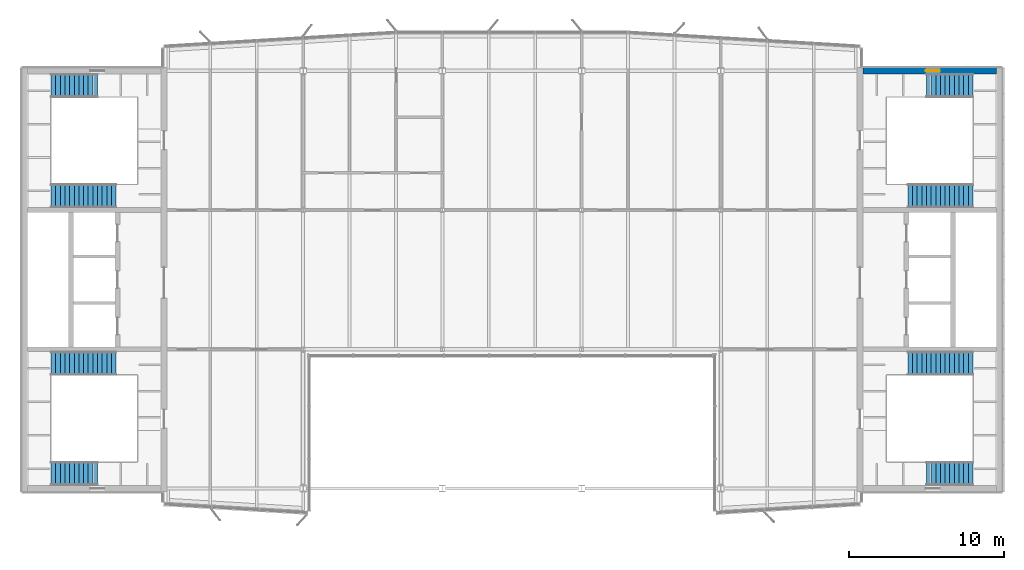
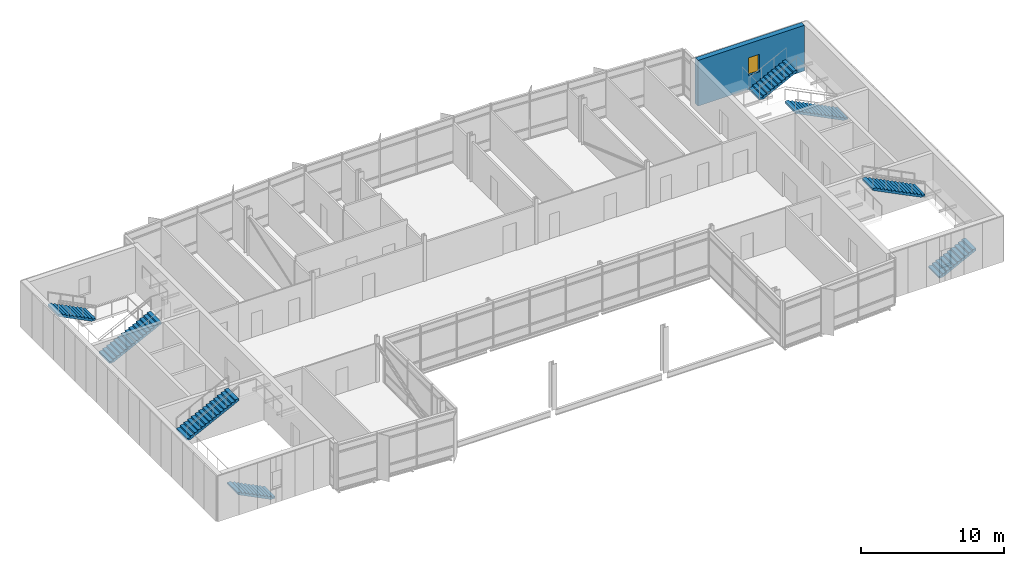
# One storey, part 17 of 20: 8 stair flights, 1 wall, 1 window, 1 opening, 4 elements without a shape of their own.
"""IFC4 building model written with IfcOpenShell, lengths in metres."""

from ifc_helpers import new_model, si_unit, direction, frame, frame_2d, origin, place, context, subcontext, project, spatial, polyline, rectangle, outline, extrude, material, layer, layer_set, type_object, element, fill, aggregate, save


model = new_model("IFC4")

# Units and contexts
model_context = context("Model", 3, precision=1e-05, world=origin(), true_north=direction((0.0, 1.0)))
body_context = subcontext(model_context, "Body", "Model", "MODEL_VIEW")
ifc_project = project(units=[si_unit("LENGTHUNIT", "METRE"), si_unit("AREAUNIT", "SQUARE_METRE"), si_unit("VOLUMEUNIT", "CUBIC_METRE"), si_unit("PLANEANGLEUNIT", "RADIAN"), si_unit("MASSUNIT", "GRAM", prefix="KILO")], contexts=[model_context])

# Site, building, storey
site_placement = place(None, origin())
site = spatial("IfcSite", under=ifc_project, at=site_placement, CompositionType="ELEMENT")
building_placement = place(site_placement, origin())
building = spatial("IfcBuilding", under=site, at=building_placement, Name="Azimuth Sports and Learning Centre", CompositionType="ELEMENT")
storey_placement = place(building_placement, frame((0.0, 0.0, 71.39990234375)))
storey = spatial("IfcBuildingStorey", under=building, at=storey_placement, Name="L16", CompositionType="ELEMENT", Elevation=71.39990234375)

# Wall, opening, window
ifc_material_1 = material(Name="Concrete C40/50", Category="concrete")
ifc_layer = layer(ifc_material_1, 0.39990234375)
ifc_layer_set = layer_set([ifc_layer], Name="Concrete C40/50")
wall_type = type_object("IfcWallType", Name="RC external core wall 400", PredefinedType="SHEAR", material=ifc_layer_set)
wall_placement = place(storey_placement, frame((108.199951171875, 117.0, 0.0), z_axis=(0.0, 0.0, 1.0), x_axis=(1.0, 0.0, 0.0)))
wall = element("IfcWall", 1, at=wall_placement, inside=storey, type_object=wall_type, Name="Core wall E N L16", PredefinedType="SHEAR", context=body_context, shape_type="SweptSolid", body=[
    extrude(rectangle(XDim=8.60009765625, YDim=0.39990234375, at=frame_2d((4.300048828125, 0.0))), origin(), (0.0, 0.0, 1.0), 3.900146484375),
])
opening_placement = place(wall_placement, frame((4.050048828125, 0.0, 1.199951171875)))
opening = element("IfcOpeningElement", 2, at=opening_placement, cuts=wall, Name="Opening W16-003", PredefinedType="OPENING", context=body_context, shape_type="SweptSolid", body=[
    extrude(rectangle(XDim=0.89990234375, YDim=1.5, at=frame_2d((0.449951171875, 0.75))), frame((0.0, 0.2109375, 0.0), z_axis=(0.0, -1.0, 0.0), x_axis=(1.0, 0.0, 0.0)), (0.0, 0.0, 1.0), 0.421875),
])
ifc_material_2 = material(Name="Aluminium and glass", Category="aluminium")
window_type = type_object("IfcWindowType", Name="Stair window tower core 900x1500", PartitioningType="SINGLE_PANEL", PredefinedType="WINDOW", material=ifc_material_2)
window_placement = place(opening_placement, origin())
window = element("IfcWindow", 3, at=window_placement, inside=storey, type_object=window_type, Name="Window W16-003", OverallHeight=1.5, OverallWidth=0.89990234375, PartitioningType="SINGLE_PANEL", PredefinedType="WINDOW", context=body_context, shape_type="SweptSolid", body=[
    extrude(rectangle(XDim=0.89990234375, YDim=1.5, at=frame_2d((0.449951171875, 0.75))), frame((0.0, 0.030029296875, 0.0), z_axis=(0.0, -1.0, 0.0), x_axis=(1.0, 0.0, 0.0)), (0.0, 0.0, 1.0), 0.06005859375),
])
fill(opening, window)

# Stair, stair flight
ifc_material_3 = material(Name="Concrete C32/40", Category="concrete")
stair_type = type_object("IfcStairType", Name="Square-well stair core 3900 storey", PredefinedType="THREE_QUARTER_TURN_STAIR", material=ifc_material_3)
stair_1_placement = place(storey_placement, origin())
stair_1 = element("IfcStair", 4, at=stair_1_placement, inside=storey, type_object=stair_type, Name="Stair W1 L16-L17", PredefinedType="THREE_QUARTER_TURN_STAIR")
ifc_material_4 = material(Name="Concrete C32/40", Category="concrete")
stair_flight_type_1 = type_object("IfcStairFlightType", Name="Stair flight 11 risers", PredefinedType="STRAIGHT", material=ifc_material_4)
stair_flight_1_placement = place(storey_placement, frame((58.7099609375, 90.9599609375, 0.0), z_axis=(0.0, 0.0, 1.0), x_axis=(-1.0, 0.0, 0.0)))
stair_flight_1 = element("IfcStairFlight", 5, at=stair_flight_1_placement, type_object=stair_flight_type_1, Name="Stair W1 L16 flight 1", NumberOfRisers=11, NumberOfTreads=10, PredefinedType="STRAIGHT", RiserHeight=0.15, TreadLength=0.3, context=body_context, shape_type="SweptSolid", body=[
    extrude(outline(polyline([(0.0, 0.0), (0.0, 0.14990234375), (0.300048828125, 0.14990234375), (0.300048828125, 0.300048828125), (0.60009765625, 0.300048828125), (0.60009765625, 0.449951171875), (0.89990234375, 0.449951171875), (0.89990234375, 0.60009765625), (1.199951171875, 0.60009765625), (1.199951171875, 0.75), (1.5, 0.75), (1.5, 0.89990234375), (1.800048828125, 0.89990234375), (1.800048828125, 1.050048828125), (2.10009765625, 1.050048828125), (2.10009765625, 1.199951171875), (2.39990234375, 1.199951171875), (2.39990234375, 1.35009765625), (2.699951171875, 1.35009765625), (2.699951171875, 1.5), (3.0, 1.5), (3.0, 1.64990234375), (3.0, 1.33251953125), (0.335205078125, 0.0), (0.0, 0.0)])), frame((0.0, 0.75, 0.0), z_axis=(0.0, -1.0, 0.0), x_axis=(1.0, 0.0, 0.0)), (0.0, 0.0, 1.0), 1.5),
])

stair_2_placement = place(storey_placement, origin())
stair_2 = element("IfcStair", 6, at=stair_2_placement, inside=storey, type_object=stair_type, Name="Stair W2 L16-L17", PredefinedType="THREE_QUARTER_TURN_STAIR")
stair_flight_2_placement = place(storey_placement, frame((58.7099609375, 116.0400390625, 0.0), z_axis=(0.0, 0.0, 1.0), x_axis=(-1.0, 0.0, 0.0)))
stair_flight_2 = element("IfcStairFlight", 7, at=stair_flight_2_placement, type_object=stair_flight_type_1, Name="Stair W2 L16 flight 1", NumberOfRisers=11, NumberOfTreads=10, PredefinedType="STRAIGHT", RiserHeight=0.15, TreadLength=0.3, context=body_context, shape_type="SweptSolid", body=[
    extrude(outline(polyline([(0.0, 0.0), (0.0, 0.14990234375), (0.300048828125, 0.14990234375), (0.300048828125, 0.300048828125), (0.60009765625, 0.300048828125), (0.60009765625, 0.449951171875), (0.89990234375, 0.449951171875), (0.89990234375, 0.60009765625), (1.199951171875, 0.60009765625), (1.199951171875, 0.75), (1.5, 0.75), (1.5, 0.89990234375), (1.800048828125, 0.89990234375), (1.800048828125, 1.050048828125), (2.10009765625, 1.050048828125), (2.10009765625, 1.199951171875), (2.39990234375, 1.199951171875), (2.39990234375, 1.35009765625), (2.699951171875, 1.35009765625), (2.699951171875, 1.5), (3.0, 1.5), (3.0, 1.64990234375), (3.0, 1.33251953125), (0.335205078125, 0.0), (0.0, 0.0)])), frame((0.0, 0.75, 0.0), z_axis=(0.0, -1.0, 0.0), x_axis=(1.0, 0.0, 0.0)), (0.0, 0.0, 1.0), 1.5),
])

stair_3_placement = place(storey_placement, origin())
stair_3 = element("IfcStair", 8, at=stair_3_placement, inside=storey, type_object=stair_type, Name="Stair E1 L16-L17", PredefinedType="THREE_QUARTER_TURN_STAIR")
stair_flight_3_placement = place(storey_placement, frame((112.2900390625, 90.9599609375, 0.0), z_axis=(0.0, 0.0, 1.0), x_axis=(1.0, 0.0, 0.0)))
stair_flight_3 = element("IfcStairFlight", 9, at=stair_flight_3_placement, type_object=stair_flight_type_1, Name="Stair E1 L16 flight 1", NumberOfRisers=11, NumberOfTreads=10, PredefinedType="STRAIGHT", RiserHeight=0.15, TreadLength=0.3, context=body_context, shape_type="SweptSolid", body=[
    extrude(outline(polyline([(0.0, 0.0), (0.0, 0.14990234375), (0.300048828125, 0.14990234375), (0.300048828125, 0.300048828125), (0.60009765625, 0.300048828125), (0.60009765625, 0.449951171875), (0.89990234375, 0.449951171875), (0.89990234375, 0.60009765625), (1.199951171875, 0.60009765625), (1.199951171875, 0.75), (1.5, 0.75), (1.5, 0.89990234375), (1.800048828125, 0.89990234375), (1.800048828125, 1.050048828125), (2.10009765625, 1.050048828125), (2.10009765625, 1.199951171875), (2.39990234375, 1.199951171875), (2.39990234375, 1.35009765625), (2.699951171875, 1.35009765625), (2.699951171875, 1.5), (3.0, 1.5), (3.0, 1.64990234375), (3.0, 1.33251953125), (0.335205078125, 0.0), (0.0, 0.0)])), frame((0.0, 0.75, 0.0), z_axis=(0.0, -1.0, 0.0), x_axis=(1.0, 0.0, 0.0)), (0.0, 0.0, 1.0), 1.5),
])

stair_4_placement = place(storey_placement, origin())
stair_4 = element("IfcStair", 10, at=stair_4_placement, inside=storey, type_object=stair_type, Name="Stair E2 L16-L17", PredefinedType="THREE_QUARTER_TURN_STAIR")
stair_flight_4_placement = place(storey_placement, frame((112.2900390625, 116.0400390625, 0.0), z_axis=(0.0, 0.0, 1.0), x_axis=(1.0, 0.0, 0.0)))
stair_flight_4 = element("IfcStairFlight", 11, at=stair_flight_4_placement, type_object=stair_flight_type_1, Name="Stair E2 L16 flight 1", NumberOfRisers=11, NumberOfTreads=10, PredefinedType="STRAIGHT", RiserHeight=0.15, TreadLength=0.3, context=body_context, shape_type="SweptSolid", body=[
    extrude(outline(polyline([(0.0, 0.0), (0.0, 0.14990234375), (0.300048828125, 0.14990234375), (0.300048828125, 0.300048828125), (0.60009765625, 0.300048828125), (0.60009765625, 0.449951171875), (0.89990234375, 0.449951171875), (0.89990234375, 0.60009765625), (1.199951171875, 0.60009765625), (1.199951171875, 0.75), (1.5, 0.75), (1.5, 0.89990234375), (1.800048828125, 0.89990234375), (1.800048828125, 1.050048828125), (2.10009765625, 1.050048828125), (2.10009765625, 1.199951171875), (2.39990234375, 1.199951171875), (2.39990234375, 1.35009765625), (2.699951171875, 1.35009765625), (2.699951171875, 1.5), (3.0, 1.5), (3.0, 1.64990234375), (3.0, 1.33251953125), (0.335205078125, 0.0), (0.0, 0.0)])), frame((0.0, 0.75, 0.0), z_axis=(0.0, -1.0, 0.0), x_axis=(1.0, 0.0, 0.0)), (0.0, 0.0, 1.0), 1.5),
])

# Stair flight
ifc_material_5 = material(Name="Concrete C32/40", Category="concrete")
stair_flight_type_2 = type_object("IfcStairFlightType", Name="Stair flight 15 risers", PredefinedType="STRAIGHT", material=ifc_material_5)
stair_flight_5_placement = place(storey_placement, frame((55.7099609375, 98.090087890625, 1.650146484375), z_axis=(0.0, 0.0, 1.0), x_axis=(1.0, 0.0, 0.0)))
stair_flight_5 = element("IfcStairFlight", 12, at=stair_flight_5_placement, type_object=stair_flight_type_2, Name="Stair W1 L16 flight 2", NumberOfRisers=15, NumberOfTreads=14, PredefinedType="STRAIGHT", RiserHeight=0.15, TreadLength=0.3, context=body_context, shape_type="SweptSolid", body=[
    extrude(outline(polyline([(0.0, 0.0), (0.0, 0.14990234375), (0.300048828125, 0.14990234375), (0.300048828125, 0.300048828125), (0.60009765625, 0.300048828125), (0.60009765625, 0.449951171875), (0.89990234375, 0.449951171875), (0.89990234375, 0.60009765625), (1.199951171875, 0.60009765625), (1.199951171875, 0.75), (1.5, 0.75), (1.5, 0.89990234375), (1.800048828125, 0.89990234375), (1.800048828125, 1.050048828125), (2.10009765625, 1.050048828125), (2.10009765625, 1.199951171875), (2.39990234375, 1.199951171875), (2.39990234375, 1.35009765625), (2.699951171875, 1.35009765625), (2.699951171875, 1.5), (3.0, 1.5), (3.0, 1.64990234375), (3.300048828125, 1.64990234375), (3.300048828125, 1.800048828125), (3.60009765625, 1.800048828125), (3.60009765625, 1.949951171875), (3.89990234375, 1.949951171875), (3.89990234375, 2.10009765625), (4.199951171875, 2.10009765625), (4.199951171875, 2.25), (4.199951171875, 1.932373046875), (0.335205078125, 0.0), (0.0, 0.0)])), frame((0.0, 0.75, 0.0), z_axis=(0.0, -1.0, 0.0), x_axis=(1.0, 0.0, 0.0)), (0.0, 0.0, 1.0), 1.5),
])

aggregate(stair_1, [stair_flight_1, stair_flight_5])

stair_flight_6_placement = place(storey_placement, frame((55.7099609375, 108.909912109375, 1.650146484375), z_axis=(0.0, 0.0, 1.0), x_axis=(1.0, 0.0, 0.0)))
stair_flight_6 = element("IfcStairFlight", 13, at=stair_flight_6_placement, type_object=stair_flight_type_2, Name="Stair W2 L16 flight 2", NumberOfRisers=15, NumberOfTreads=14, PredefinedType="STRAIGHT", RiserHeight=0.15, TreadLength=0.3, context=body_context, shape_type="SweptSolid", body=[
    extrude(outline(polyline([(0.0, 0.0), (0.0, 0.14990234375), (0.300048828125, 0.14990234375), (0.300048828125, 0.300048828125), (0.60009765625, 0.300048828125), (0.60009765625, 0.449951171875), (0.89990234375, 0.449951171875), (0.89990234375, 0.60009765625), (1.199951171875, 0.60009765625), (1.199951171875, 0.75), (1.5, 0.75), (1.5, 0.89990234375), (1.800048828125, 0.89990234375), (1.800048828125, 1.050048828125), (2.10009765625, 1.050048828125), (2.10009765625, 1.199951171875), (2.39990234375, 1.199951171875), (2.39990234375, 1.35009765625), (2.699951171875, 1.35009765625), (2.699951171875, 1.5), (3.0, 1.5), (3.0, 1.64990234375), (3.300048828125, 1.64990234375), (3.300048828125, 1.800048828125), (3.60009765625, 1.800048828125), (3.60009765625, 1.949951171875), (3.89990234375, 1.949951171875), (3.89990234375, 2.10009765625), (4.199951171875, 2.10009765625), (4.199951171875, 2.25), (4.199951171875, 1.932373046875), (0.335205078125, 0.0), (0.0, 0.0)])), frame((0.0, 0.75, 0.0), z_axis=(0.0, -1.0, 0.0), x_axis=(1.0, 0.0, 0.0)), (0.0, 0.0, 1.0), 1.5),
])

aggregate(stair_2, [stair_flight_2, stair_flight_6])

stair_flight_7_placement = place(storey_placement, frame((115.2900390625, 98.090087890625, 1.650146484375), z_axis=(0.0, 0.0, 1.0), x_axis=(-1.0, 0.0, 0.0)))
stair_flight_7 = element("IfcStairFlight", 14, at=stair_flight_7_placement, type_object=stair_flight_type_2, Name="Stair E1 L16 flight 2", NumberOfRisers=15, NumberOfTreads=14, PredefinedType="STRAIGHT", RiserHeight=0.15, TreadLength=0.3, context=body_context, shape_type="SweptSolid", body=[
    extrude(outline(polyline([(0.0, 0.0), (0.0, 0.14990234375), (0.300048828125, 0.14990234375), (0.300048828125, 0.300048828125), (0.60009765625, 0.300048828125), (0.60009765625, 0.449951171875), (0.89990234375, 0.449951171875), (0.89990234375, 0.60009765625), (1.199951171875, 0.60009765625), (1.199951171875, 0.75), (1.5, 0.75), (1.5, 0.89990234375), (1.800048828125, 0.89990234375), (1.800048828125, 1.050048828125), (2.10009765625, 1.050048828125), (2.10009765625, 1.199951171875), (2.39990234375, 1.199951171875), (2.39990234375, 1.35009765625), (2.699951171875, 1.35009765625), (2.699951171875, 1.5), (3.0, 1.5), (3.0, 1.64990234375), (3.300048828125, 1.64990234375), (3.300048828125, 1.800048828125), (3.60009765625, 1.800048828125), (3.60009765625, 1.949951171875), (3.89990234375, 1.949951171875), (3.89990234375, 2.10009765625), (4.199951171875, 2.10009765625), (4.199951171875, 2.25), (4.199951171875, 1.932373046875), (0.335205078125, 0.0), (0.0, 0.0)])), frame((0.0, 0.75, 0.0), z_axis=(0.0, -1.0, 0.0), x_axis=(1.0, 0.0, 0.0)), (0.0, 0.0, 1.0), 1.5),
])

aggregate(stair_3, [stair_flight_3, stair_flight_7])

stair_flight_8_placement = place(storey_placement, frame((115.2900390625, 108.909912109375, 1.650146484375), z_axis=(0.0, 0.0, 1.0), x_axis=(-1.0, 0.0, 0.0)))
stair_flight_8 = element("IfcStairFlight", 15, at=stair_flight_8_placement, type_object=stair_flight_type_2, Name="Stair E2 L16 flight 2", NumberOfRisers=15, NumberOfTreads=14, PredefinedType="STRAIGHT", RiserHeight=0.15, TreadLength=0.3, context=body_context, shape_type="SweptSolid", body=[
    extrude(outline(polyline([(0.0, 0.0), (0.0, 0.14990234375), (0.300048828125, 0.14990234375), (0.300048828125, 0.300048828125), (0.60009765625, 0.300048828125), (0.60009765625, 0.449951171875), (0.89990234375, 0.449951171875), (0.89990234375, 0.60009765625), (1.199951171875, 0.60009765625), (1.199951171875, 0.75), (1.5, 0.75), (1.5, 0.89990234375), (1.800048828125, 0.89990234375), (1.800048828125, 1.050048828125), (2.10009765625, 1.050048828125), (2.10009765625, 1.199951171875), (2.39990234375, 1.199951171875), (2.39990234375, 1.35009765625), (2.699951171875, 1.35009765625), (2.699951171875, 1.5), (3.0, 1.5), (3.0, 1.64990234375), (3.300048828125, 1.64990234375), (3.300048828125, 1.800048828125), (3.60009765625, 1.800048828125), (3.60009765625, 1.949951171875), (3.89990234375, 1.949951171875), (3.89990234375, 2.10009765625), (4.199951171875, 2.10009765625), (4.199951171875, 2.25), (4.199951171875, 1.932373046875), (0.335205078125, 0.0), (0.0, 0.0)])), frame((0.0, 0.75, 0.0), z_axis=(0.0, -1.0, 0.0), x_axis=(1.0, 0.0, 0.0)), (0.0, 0.0, 1.0), 1.5),
])

aggregate(stair_4, [stair_flight_4, stair_flight_8])

save(model, "model.ifc")
